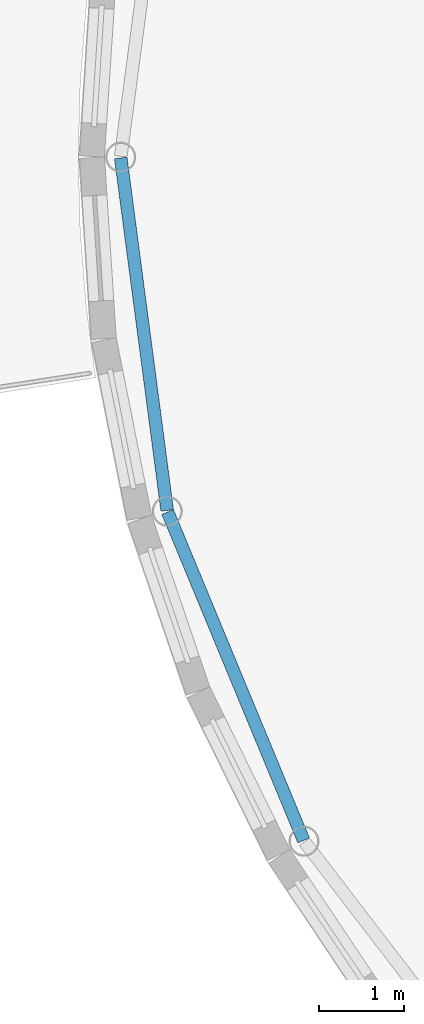
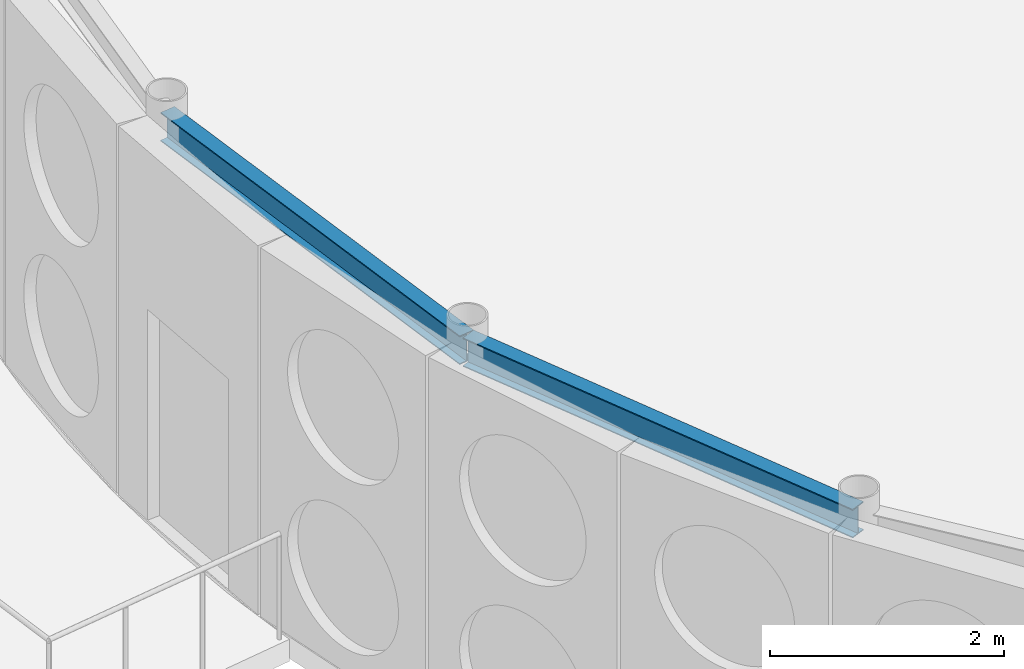
# One storey, part 50 of 165: 2 beams.
"""IFC4 building model written with IfcOpenShell, lengths in metres."""

from ifc_helpers import new_model, si_unit, direction, frame, origin, origin_2d, place, context, subcontext, project, spatial, i_section, extrude, material, material_profile, profile_set, type_object, element, save


model = new_model("IFC4")

# Units and contexts
model_context = context("Model", 3, precision=1e-05, world=origin(), true_north=direction((0.0, 1.0)))
body_context = subcontext(model_context, "Body", "Model", "MODEL_VIEW")
ifc_project = project(units=[si_unit("LENGTHUNIT", "METRE"), si_unit("AREAUNIT", "SQUARE_METRE"), si_unit("VOLUMEUNIT", "CUBIC_METRE"), si_unit("PLANEANGLEUNIT", "RADIAN"), si_unit("MASSUNIT", "GRAM", prefix="KILO")], contexts=[model_context])

# Site, building, storey
site_placement = place(None, origin())
site = spatial("IfcSite", under=ifc_project, at=site_placement, CompositionType="ELEMENT")
building_placement = place(site_placement, origin())
building = spatial("IfcBuilding", under=site, at=building_placement, Name="Montecoro Central Library", CompositionType="ELEMENT")
storey_placement = place(building_placement, frame((0.0, 0.0, 5.10009765625)))
storey = spatial("IfcBuildingStorey", under=building, at=storey_placement, Name="L01", CompositionType="ELEMENT", Elevation=5.10009765625)

# Beams
ifc_material = material(Name="Steel S355", Category="steel")
ifc_material_profile = material_profile(ifc_material, i_section(OverallWidth=0.14990234375, OverallDepth=0.300048828125, WebThickness=0.007080078125, FlangeThickness=0.0107421875, at=origin_2d()), Name="IPE 300")
ifc_profile_set = profile_set([ifc_material_profile], Name="Steel S355")
beam_type = type_object("IfcBeamType", Name="BM-SP-IPE300", PredefinedType="SPANDREL", material=ifc_profile_set)
beam_1_placement = place(storey_placement, frame((75.4208984375, 35.389892578125, 3.704833984375), z_axis=(0.130607740177, -0.99143412197, 0.0), x_axis=(0.99143412197, 0.130607740177, 0.0)))
element("IfcBeam", 1, at=beam_1_placement, inside=storey, type_object=beam_type, Name="V1-L01-RING-13", PredefinedType="SPANDREL", context=body_context, shape_type="SweptSolid", body=[
    extrude(i_section(OverallWidth=0.14990234375, OverallDepth=0.300048828125, WebThickness=0.007080078125, FlangeThickness=0.0107421875, at=origin_2d()), origin(), (0.0, 0.0, 1.0), 4.2041015625),
])
beam_2_placement = place(storey_placement, frame((75.97509765625, 31.202880859375, 3.704833984375), z_axis=(0.382717667995, -0.923865350906, 0.0), x_axis=(0.923865350906, 0.382717667995, 0.0)))
element("IfcBeam", 2, at=beam_2_placement, inside=storey, type_object=beam_type, Name="V1-L01-RING-14", PredefinedType="SPANDREL", context=body_context, shape_type="SweptSolid", body=[
    extrude(i_section(OverallWidth=0.14990234375, OverallDepth=0.300048828125, WebThickness=0.007080078125, FlangeThickness=0.0107421875, at=origin_2d()), origin(), (0.0, 0.0, 1.0), 4.203857421875),
])

save(model, "model.ifc")
